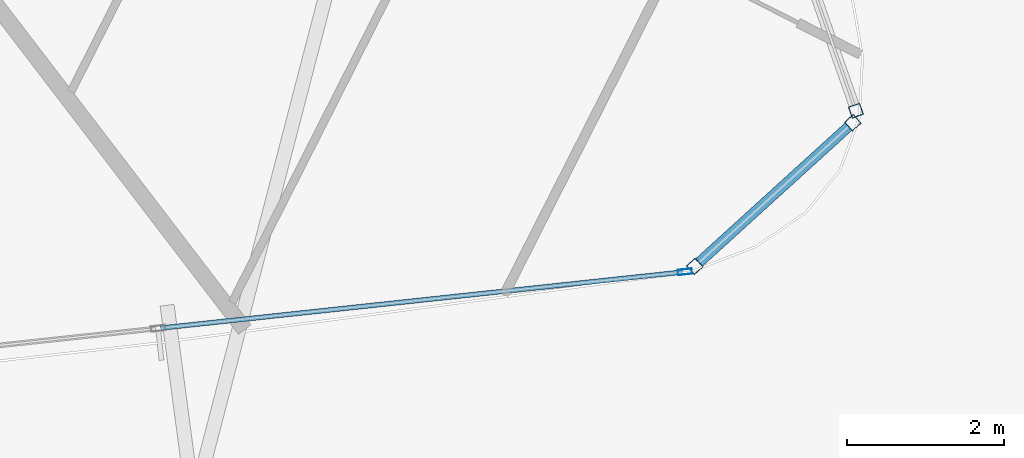
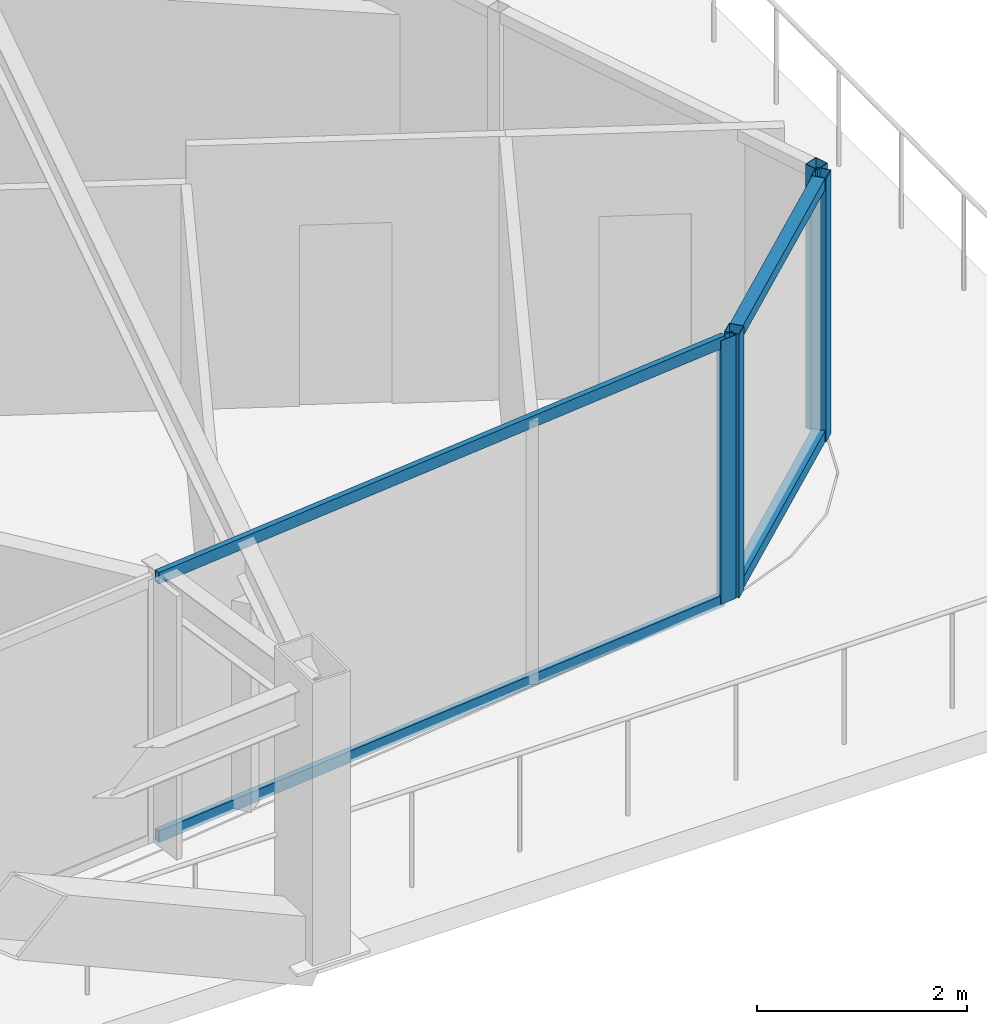
# One storey, part 14 of 36: 8 members, 3 elements without a shape of their own.
"""IFC4 building model written with IfcOpenShell, lengths in metres."""

import ifcopenshell
import ifcopenshell.guid

model = None  # the IFC model being written
_history = None  # IfcOwnerHistory: only IFC2X3 demands one
_inside = {}  # id of a spatial element -> (the spatial element, [elements in it])
_under = {}  # id of a project, library or spatial element -> (it, [spatial elements below it])
_declared = {}  # id of a project -> (the project, [libraries it declares])
_typed = {}  # id of a type object -> (the type object, [elements of that type])
_made_of = {}  # id of a material, layer set ... -> (it, [elements and type objects made of it])


def new_model(schema):
    """Start an empty IFC model of exactly this schema.

    Asked for "IFC4X3", IfcOpenShell would pick the latest addendum, in which some entities
    have other attributes; the version numbers below select the first issue.
    IFC2X3 requires an IfcOwnerHistory on every rooted entity: one is made here for all.
    """
    global model, _history
    if schema == "IFC4X3":
        model = ifcopenshell.file(schema_version=(4, 3, 0, 0))
    else:
        model = ifcopenshell.file(schema=schema)
    _inside.clear()
    _under.clear()
    _declared.clear()
    _typed.clear()
    _made_of.clear()
    _history = None
    if model.schema == "IFC2X3":
        org = make("IfcOrganization", Name="unknown")
        user = make(
            "IfcPersonAndOrganization",
            ThePerson=make("IfcPerson", FamilyName="unknown"),
            TheOrganization=org,
        )
        app = make(
            "IfcApplication",
            ApplicationDeveloper=org,
            Version="unknown",
            ApplicationFullName="unknown",
            ApplicationIdentifier="unknown",
        )
        _history = make(
            "IfcOwnerHistory",
            OwningUser=user,
            OwningApplication=app,
            ChangeAction="ADDED",
            CreationDate=0,
        )
    return model


def make(cls, **values):
    """One entity of the class cls with the attributes given. An attribute that is None is left unset."""
    return model.create_entity(
        cls, **{name: value for name, value in values.items() if value is not None}
    )


def rooted(cls, **values):
    """An entity with a GlobalId (a new one), such as an element, a storey or a relation."""
    return make(cls, GlobalId=ifcopenshell.guid.new(), OwnerHistory=_history, **values)


def si_unit(unit_type, name, prefix=None):
    """IfcSIUnit, for example si_unit("LENGTHUNIT", "METRE", prefix="MILLI")."""
    return make("IfcSIUnit", UnitType=unit_type, Prefix=prefix, Name=name)


def assignment(units):
    """IfcUnitAssignment: the units of a project."""
    return None if units is None else make("IfcUnitAssignment", Units=units)


def point(xyz):
    """IfcCartesianPoint."""
    return None if xyz is None else make("IfcCartesianPoint", Coordinates=xyz)


def direction(xyz):
    """IfcDirection."""
    return None if xyz is None else make("IfcDirection", DirectionRatios=xyz)


def frame(location, z_axis=None, x_axis=None):
    """IfcAxis2Placement3D, a coordinate frame: its origin and axes. An axis left out is left unset."""
    return make(
        "IfcAxis2Placement3D",
        Location=point(location),
        Axis=direction(z_axis),
        RefDirection=direction(x_axis),
    )


def frame_2d(location, x_axis=None):
    """IfcAxis2Placement2D, a coordinate frame in the plane: its origin and x axis."""
    return make(
        "IfcAxis2Placement2D", Location=point(location), RefDirection=direction(x_axis)
    )


def origin():
    """The frame at (0, 0, 0) with its axes left unset."""
    return frame((0.0, 0.0, 0.0))


def origin_2d():
    """The frame at (0, 0) in the plane with its x axis left unset."""
    return frame_2d((0.0, 0.0))


def place(relative_to, where):
    """IfcLocalPlacement: puts the frame where relative to a parent placement (None: the world)."""
    return make(
        "IfcLocalPlacement", PlacementRelTo=relative_to, RelativePlacement=where
    )


def context(
    kind, dimensions, precision=None, world=None, true_north=None, identifier=None
):
    """IfcGeometricRepresentationContext, for example the 3D "Model" context."""
    return make(
        "IfcGeometricRepresentationContext",
        ContextIdentifier=identifier,
        ContextType=kind,
        CoordinateSpaceDimension=dimensions,
        Precision=precision,
        WorldCoordinateSystem=world,
        TrueNorth=true_north,
    )


def subcontext(parent, identifier, kind, view, scale=None):
    """IfcGeometricRepresentationSubContext, for example "Body" below "Model"."""
    return make(
        "IfcGeometricRepresentationSubContext",
        ContextIdentifier=identifier,
        ContextType=kind,
        ParentContext=parent,
        TargetScale=scale,
        TargetView=view,
    )


def project(units=None, contexts=None):
    """IfcProject with its units and contexts."""
    return rooted(
        "IfcProject",
        Name="project",
        RepresentationContexts=contexts,
        UnitsInContext=assignment(units),
    )


def spatial(cls, under=None, at=None, **own):
    """A site, building, storey or space (cls), placed at a placement, below another one or the project."""
    s = rooted(cls, ObjectPlacement=at, **own)
    if under is not None:
        _under.setdefault(under.id(), (under, []))[1].append(s)
    return s


def profile(cls, at=None, kind="AREA", **sizes):
    """A parametric profile (cls). Its sizes go by their IFC names, for example OverallWidth=200.0."""
    return make(cls, ProfileType=kind, Position=at, **sizes)


def hollow_rectangle(**sizes):
    """IfcRectangleHollowProfileDef."""
    return profile("IfcRectangleHollowProfileDef", **sizes)


def extrude(swept, where, along, depth):
    """IfcExtrudedAreaSolid: the profile swept, set in the frame where, extruded along a direction by depth."""
    return make(
        "IfcExtrudedAreaSolid",
        SweptArea=swept,
        Position=where,
        ExtrudedDirection=direction(along),
        Depth=depth,
    )


def shape(context_of_items, identifier, shape_type, items):
    """IfcShapeRepresentation: the items that make up one representation, for example the "Body"."""
    return make(
        "IfcShapeRepresentation",
        ContextOfItems=context_of_items,
        RepresentationIdentifier=identifier,
        RepresentationType=shape_type,
        Items=items,
    )


def material(Name=None, Category=None):
    """IfcMaterial."""
    return make("IfcMaterial", Name=Name, Category=Category)


def layer(
    of_material, thickness, ventilated=None, Name=None, Category=None, Priority=None
):
    """IfcMaterialLayer: one layer of a wall or slab, of a material (None: an air gap)."""
    return make(
        "IfcMaterialLayer",
        Material=of_material,
        LayerThickness=thickness,
        IsVentilated=ventilated,
        Name=Name,
        Category=Category,
        Priority=Priority,
    )


def layer_set(layers, Name=None):
    """IfcMaterialLayerSet."""
    return make("IfcMaterialLayerSet", MaterialLayers=layers, LayerSetName=Name)


def material_profile(
    of_material, cross_section, Name=None, Category=None, Priority=None
):
    """IfcMaterialProfile: a cross section and its material."""
    return make(
        "IfcMaterialProfile",
        Name=Name,
        Material=of_material,
        Profile=cross_section,
        Priority=Priority,
        Category=Category,
    )


def profile_set(profiles, Name=None, composite=None):
    """IfcMaterialProfileSet."""
    return make(
        "IfcMaterialProfileSet",
        Name=Name,
        MaterialProfiles=profiles,
        CompositeProfile=composite,
    )


def made_of(thing, what):
    """Note that an element or type object is made of a material, layer set ...; save() writes the relation."""
    if what is not None:
        _made_of.setdefault(what.id(), (what, []))[1].append(thing)
    return thing


def type_object(cls, material=None, **own):
    """A type object (cls), such as IfcWallType, which elements share."""
    return made_of(rooted(cls, **own), material)


def element(
    cls,
    number,
    at=None,
    inside=None,
    cuts=None,
    type_object=None,
    material=None,
    context=None,
    identifier="Body",
    shape_type=None,
    held_by="IfcProductDefinitionShape",
    body=None,
    shapes=None,
    **own,
):
    """One element of the class cls, such as IfcWall. Its Tag is "e" and its number.

    at: its placement. inside: the storey or other place that contains it. cuts: it is an
    opening in that element (IfcRelVoidsElement). A single representation is given by context,
    identifier, shape_type and body (its items); several are given by shapes. held_by: the class
    of the entity that holds the representations. save() writes the other relations.
    """
    e = rooted(cls, Tag="e%d" % number, ObjectPlacement=at, **own)
    if body is not None:
        shapes = [shape(context, identifier, shape_type, body)]
    if shapes is not None:
        e.Representation = make(held_by, Representations=shapes)
    if inside is not None:
        _inside.setdefault(inside.id(), (inside, []))[1].append(e)
    if cuts is not None:
        rooted(
            "IfcRelVoidsElement", RelatingBuildingElement=cuts, RelatedOpeningElement=e
        )
    if type_object is not None:
        _typed.setdefault(type_object.id(), (type_object, []))[1].append(e)
    return made_of(e, material)


def aggregate(whole, parts):
    """IfcRelAggregates: a whole, such as a stair, and the parts it consists of."""
    return rooted("IfcRelAggregates", RelatingObject=whole, RelatedObjects=parts)


def save(model, path):
    """Write the relations noted so far, then the file.

    IfcRelAggregates (storeys below a building ...), IfcRelContainedInSpatialStructure (elements
    in a storey), IfcRelDefinesByType, IfcRelAssociatesMaterial and IfcRelDeclares: one each for
    every whole, place, type object, material and project.
    """
    for whole, parts in _under.values():
        aggregate(whole, parts)
    for where, things in _inside.values():
        rooted(
            "IfcRelContainedInSpatialStructure",
            RelatedElements=things,
            RelatingStructure=where,
        )
    for kind, things in _typed.values():
        rooted("IfcRelDefinesByType", RelatedObjects=things, RelatingType=kind)
    for what, things in _made_of.values():
        rooted("IfcRelAssociatesMaterial", RelatedObjects=things, RelatingMaterial=what)
    for by, libraries in _declared.values():
        rooted("IfcRelDeclares", RelatingContext=by, RelatedDefinitions=libraries)
    model.write(path)


model = new_model("IFC4")

# Units and contexts
model_context = context("Model", 3, precision=1e-05, world=origin(), true_north=direction((0.0, 1.0)))
body_context = subcontext(model_context, "Body", "Model", "MODEL_VIEW")
ifc_project = project(units=[si_unit("LENGTHUNIT", "METRE"), si_unit("AREAUNIT", "SQUARE_METRE"), si_unit("VOLUMEUNIT", "CUBIC_METRE"), si_unit("PLANEANGLEUNIT", "RADIAN"), si_unit("MASSUNIT", "GRAM", prefix="KILO")], contexts=[model_context])

# Site, building, storey
site_placement = place(None, origin())
site = spatial("IfcSite", under=ifc_project, at=site_placement, CompositionType="ELEMENT")
building_placement = place(site_placement, origin())
building = spatial("IfcBuilding", under=site, at=building_placement, Name="Orvanel Arch Residences", CompositionType="ELEMENT")
storey_placement = place(building_placement, frame((0.0, 0.0, 23.60009765625)))
storey = spatial("IfcBuildingStorey", under=building, at=storey_placement, Name="L05", CompositionType="ELEMENT", Elevation=23.60009765625)

# Curtain wall, members
ifc_material = material(Name="Bronze-anodised aluminium AA6063-T6", Category="aluminium")
ifc_layer_1 = layer(ifc_material, 0.18994140625)
ifc_layer_set_1 = layer_set([ifc_layer_1], Name="Bronze-anodised aluminium AA6063-T6")
curtain_wall_type_1 = type_object("IfcCurtainWallType", Name="CW5-CRN-SYS", PredefinedType="NOTDEFINED", material=ifc_layer_set_1)
curtain_wall_1_placement = place(storey_placement, origin())
curtain_wall_1 = element("IfcCurtainWall", 1, at=curtain_wall_1_placement, inside=storey, type_object=curtain_wall_type_1, Name="L05 CW5-CRN-SYS Unitised Curtain Wall", PredefinedType="NOTDEFINED")
ifc_material_profile_1 = material_profile(ifc_material, hollow_rectangle(XDim=0.14990234375, YDim=0.14990234375, WallThickness=0.0048828125, at=origin_2d()), Name="ALU150x150x5")
ifc_profile_set_1 = profile_set([ifc_material_profile_1], Name="Bronze-anodised aluminium AA6063-T6")
member_type_1 = type_object("IfcMemberType", Name="MUL-150x150", PredefinedType="MULLION", material=ifc_profile_set_1)
member_1_placement = place(storey_placement, frame((60.047607421875, 3.4384765625, 0.0), z_axis=(0.0, 0.0, 1.0), x_axis=(-0.672446964685, 0.740145309845, 0.0)))
member_1 = element("IfcMember", 2, at=member_1_placement, type_object=member_type_1, Name="CW-S5 mullion 1", PredefinedType="MULLION", context=body_context, shape_type="SweptSolid", body=[
    extrude(hollow_rectangle(XDim=0.14990234375, YDim=0.14990234375, WallThickness=0.0048828125, at=origin_2d()), origin(), (0.0, 0.0, 1.0), 3.059814453125),
])
member_2_placement = place(storey_placement, frame((62.057373046875, 5.2646484375, 0.0), z_axis=(0.0, 0.0, 1.0), x_axis=(-0.672446964685, 0.740145309845, 0.0)))
member_2 = element("IfcMember", 3, at=member_2_placement, type_object=member_type_1, Name="CW-S5 mullion 2", PredefinedType="MULLION", context=body_context, shape_type="SweptSolid", body=[
    extrude(hollow_rectangle(XDim=0.14990234375, YDim=0.14990234375, WallThickness=0.0048828125, at=origin_2d()), origin(), (0.0, 0.0, 1.0), 3.059814453125),
])

# Curtain wall, member
curtain_wall_2_placement = place(storey_placement, origin())
curtain_wall_2 = element("IfcCurtainWall", 4, at=curtain_wall_2_placement, inside=storey, type_object=curtain_wall_type_1, Name="L05 CW5-CRN-SYS Unitised Curtain Wall", PredefinedType="NOTDEFINED")
member_3_placement = place(storey_placement, frame((62.09619140625, 5.417724609375, 0.0), z_axis=(0.0, 0.0, 1.0), x_axis=(-0.943915900726, -0.330185966322, 0.0)))
member_3 = element("IfcMember", 5, at=member_3_placement, type_object=member_type_1, Name="CW-S5 mullion 1", PredefinedType="MULLION", context=body_context, shape_type="SweptSolid", body=[
    extrude(hollow_rectangle(XDim=0.14990234375, YDim=0.14990234375, WallThickness=0.0048828125, at=origin_2d()), origin(), (0.0, 0.0, 1.0), 3.059814453125),
])
aggregate(curtain_wall_2, [member_3])

ifc_layer_2 = layer(ifc_material, 0.179931640625)
ifc_layer_set_2 = layer_set([ifc_layer_2], Name="Bronze-anodised aluminium AA6063-T6")
curtain_wall_type_2 = type_object("IfcCurtainWallType", Name="CW2-LOW-SYS", PredefinedType="NOTDEFINED", material=ifc_layer_set_2)
curtain_wall_3_placement = place(storey_placement, origin())
curtain_wall_3 = element("IfcCurtainWall", 6, at=curtain_wall_3_placement, inside=storey, type_object=curtain_wall_type_2, Name="L05 CW2-LOW-SYS Unitised Curtain Wall", PredefinedType="NOTDEFINED")
ifc_material_profile_2 = material_profile(ifc_material, hollow_rectangle(XDim=0.070068359375, YDim=0.179931640625, WallThickness=0.00439453125, at=origin_2d()), Name="ALU180x70x4.5")
ifc_profile_set_2 = profile_set([ifc_material_profile_2], Name="Bronze-anodised aluminium AA6063-T6")
member_type_2 = type_object("IfcMemberType", Name="MUL-180x70", PredefinedType="MULLION", material=ifc_profile_set_2)
member_4_placement = place(storey_placement, frame((59.922119140625, 3.369384765625, 0.0), z_axis=(0.0, 0.0, 1.0), x_axis=(-0.106701765481, 0.994291070685, 0.0)))
member_4 = element("IfcMember", 7, at=member_4_placement, type_object=member_type_2, Name="CW-S2 mullion 4", PredefinedType="MULLION", context=body_context, shape_type="SweptSolid", body=[
    extrude(hollow_rectangle(XDim=0.070068359375, YDim=0.179931640625, WallThickness=0.00439453125, at=origin_2d()), origin(), (0.0, 0.0, 1.0), 3.059814453125),
])

# Member
ifc_material_profile_3 = material_profile(ifc_material, hollow_rectangle(XDim=0.1298828125, YDim=0.1298828125, WallThickness=0.00439453125, at=origin_2d()), Name="ALU130x130x4.5")
ifc_profile_set_3 = profile_set([ifc_material_profile_3], Name="Bronze-anodised aluminium AA6063-T6")
member_type_3 = type_object("IfcMemberType", Name="TRN-130x130", PredefinedType="USERDEFINED", material=ifc_profile_set_3)
member_5_placement = place(storey_placement, frame((60.10302734375, 3.48876953125, 0.06494140625), z_axis=(0.740125190983, 0.672469108341, 0.0), x_axis=(-0.672469108341, 0.740125190983, 0.0)))
member_5 = element("IfcMember", 8, at=member_5_placement, type_object=member_type_3, Name="CW-S5 transom 1.1", ObjectType="TRANSOM", PredefinedType="USERDEFINED", context=body_context, shape_type="SweptSolid", body=[
    extrude(hollow_rectangle(XDim=0.1298828125, YDim=0.1298828125, WallThickness=0.00439453125, at=origin_2d()), origin(), (0.0, 0.0, 1.0), 2.565673828125),
])

member_6_placement = place(storey_placement, frame((60.10302734375, 3.48876953125, 2.994873046875), z_axis=(0.740125190983, 0.672469108341, 0.0), x_axis=(-0.672469108341, 0.740125190983, 0.0)))
member_6 = element("IfcMember", 9, at=member_6_placement, type_object=member_type_3, Name="CW-S5 transom 1.2", ObjectType="TRANSOM", PredefinedType="USERDEFINED", context=body_context, shape_type="SweptSolid", body=[
    extrude(hollow_rectangle(XDim=0.1298828125, YDim=0.1298828125, WallThickness=0.00439453125, at=origin_2d()), origin(), (0.0, 0.0, 1.0), 2.565673828125),
])

aggregate(curtain_wall_1, [member_1, member_2, member_5, member_6])

ifc_material_profile_4 = material_profile(ifc_material, hollow_rectangle(XDim=0.06005859375, YDim=0.135009765625, WallThickness=0.00390625, at=origin_2d()), Name="ALU135x60x4")
ifc_profile_set_4 = profile_set([ifc_material_profile_4], Name="Bronze-anodised aluminium AA6063-T6")
member_type_4 = type_object("IfcMemberType", Name="TRN-135x60", PredefinedType="USERDEFINED", material=ifc_profile_set_4)
member_7_placement = place(storey_placement, frame((53.2607421875, 2.654296875, 0.02978515625), z_axis=(0.994290430162, 0.106707733967, 0.0), x_axis=(-0.106707733967, 0.994290430162, 0.0)))
member_7 = element("IfcMember", 10, at=member_7_placement, type_object=member_type_4, Name="CW-S2 transom 3.1", ObjectType="TRANSOM", PredefinedType="USERDEFINED", context=body_context, shape_type="SweptSolid", body=[
    extrude(hollow_rectangle(XDim=0.06005859375, YDim=0.135009765625, WallThickness=0.00390625, at=origin_2d()), origin(), (0.0, 0.0, 1.0), 6.664794921875),
])

member_8_placement = place(storey_placement, frame((53.2607421875, 2.654296875, 3.02978515625), z_axis=(0.994290430162, 0.106707733967, 0.0), x_axis=(-0.106707733967, 0.994290430162, 0.0)))
member_8 = element("IfcMember", 11, at=member_8_placement, type_object=member_type_4, Name="CW-S2 transom 3.2", ObjectType="TRANSOM", PredefinedType="USERDEFINED", context=body_context, shape_type="SweptSolid", body=[
    extrude(hollow_rectangle(XDim=0.06005859375, YDim=0.135009765625, WallThickness=0.00390625, at=origin_2d()), origin(), (0.0, 0.0, 1.0), 6.664794921875),
])

aggregate(curtain_wall_3, [member_4, member_7, member_8])

save(model, "model.ifc")
